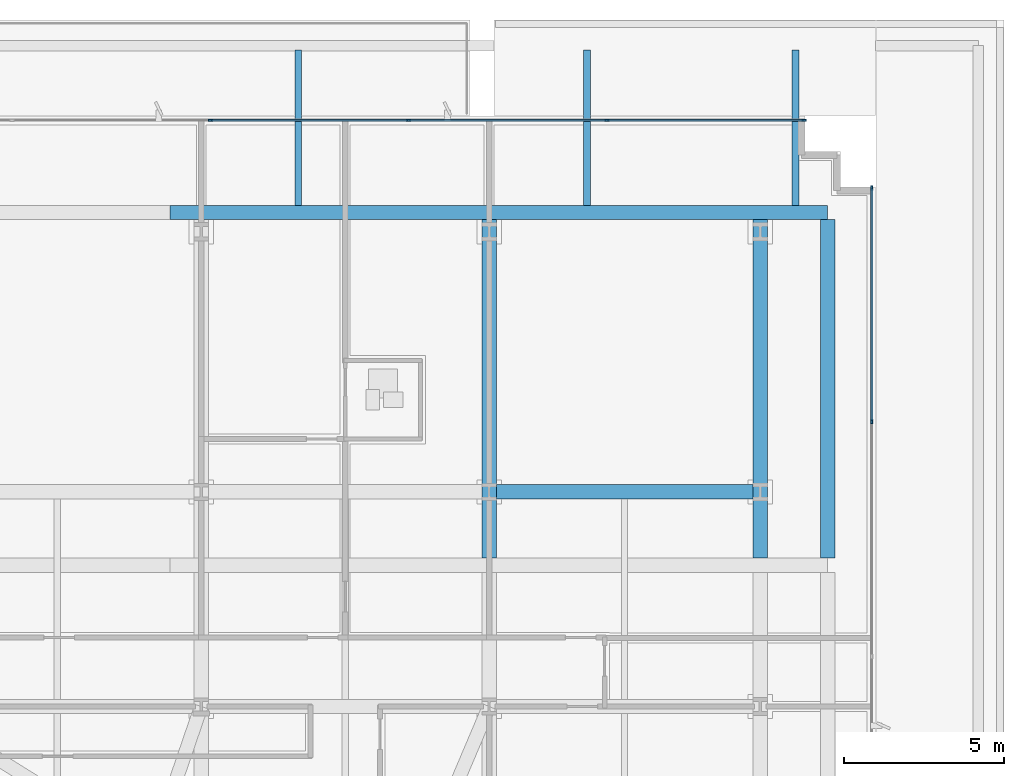
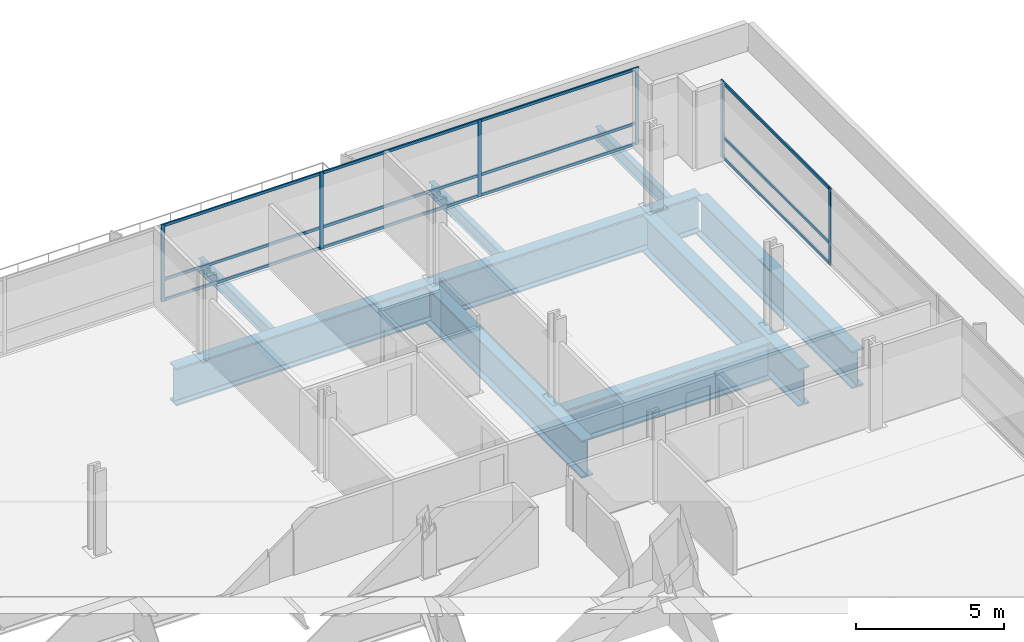
# One storey, part 15 of 25: 18 members, 9 beams, 2 elements without a shape of their own.
"""IFC4 building model written with IfcOpenShell, lengths in metres."""

from ifc_helpers import new_model, si_unit, direction, frame, origin, origin_2d, place, context, subcontext, project, spatial, rectangle, i_section, extrude, material, material_profile, profile_set, type_object, element, aggregate, save


model = new_model("IFC4")

# Units and contexts
model_context = context("Model", 3, precision=1e-05, world=origin(), true_north=direction((0.0, 1.0)))
body_context = subcontext(model_context, "Body", "Model", "MODEL_VIEW")
ifc_project = project(units=[si_unit("LENGTHUNIT", "METRE"), si_unit("AREAUNIT", "SQUARE_METRE"), si_unit("VOLUMEUNIT", "CUBIC_METRE"), si_unit("PLANEANGLEUNIT", "RADIAN"), si_unit("MASSUNIT", "GRAM", prefix="KILO")], contexts=[model_context])

# Site, building, storey
site_placement = place(None, origin())
site = spatial("IfcSite", under=ifc_project, at=site_placement, CompositionType="ELEMENT")
building_placement = place(site_placement, origin())
building = spatial("IfcBuilding", under=site, at=building_placement, Name="Solmavex Isthmus Hotel", CompositionType="ELEMENT")
storey_placement = place(building_placement, frame((0.0, 0.0, 26.39990234375)))
storey = spatial("IfcBuildingStorey", under=building, at=storey_placement, Name="L06", CompositionType="ELEMENT", Elevation=26.39990234375)

# Beams
ifc_material_1 = material(Name="Steel ASTM A992 Grade 50", Category="steel")
ifc_material_profile_1 = material_profile(ifc_material_1, i_section(OverallWidth=0.21240234375, OverallDepth=0.544189453125, WebThickness=0.01318359375, FlangeThickness=0.021240234375, FilletRadius=0.013916015625, at=origin_2d()), Name="W21X83")
ifc_profile_set_1 = profile_set([ifc_material_profile_1], Name="Steel ASTM A992 Grade 50")
beam_type_1 = type_object("IfcBeamType", Name="BM-BM-W21X83", PredefinedType="BEAM", material=ifc_profile_set_1)
for number, where, z_axis, x_axis, name in (
    (1, (12.0, 17.72509765625, -0.72216796875), (0.0, 1.0, 0.0), (-1.0, 0.0, 0.0), "Podium Roof Terrace Framing Beam PRN-05"),
    (2, (21.0, 17.72509765625, -0.72216796875), (0.0, 1.0, 0.0), (-1.0, 0.0, 0.0), "Podium Roof Terrace Framing Beam PRN-06"),
    (3, (27.5, 17.72509765625, -0.72216796875), (0.0, 1.0, 0.0), (-1.0, 0.0, 0.0), "Podium Roof Terrace Framing Beam PRN-07"),
):
    element("IfcBeam", number, at=place(storey_placement, frame(where, z_axis=z_axis, x_axis=x_axis)), inside=storey, type_object=beam_type_1, Name=name, PredefinedType="BEAM", context=body_context, shape_type="SweptSolid", body=[
        extrude(i_section(OverallWidth=0.21240234375, OverallDepth=0.544189453125, WebThickness=0.01318359375, FlangeThickness=0.021240234375, FilletRadius=0.013916015625, at=origin_2d()), origin(), (0.0, 0.0, 1.0), 4.8349609375),
    ])
ifc_material_2 = material(Name="Steel ASTM A572 Grade 50", Category="steel")
ifc_material_profile_2 = material_profile(ifc_material_2, i_section(OverallWidth=0.449951171875, OverallDepth=1.550048828125, WebThickness=0.031982421875, FlangeThickness=0.06494140625, FilletRadius=0.030517578125, at=origin_2d()), Name="I1550X450")
ifc_profile_set_2 = profile_set([ifc_material_profile_2], Name="Steel ASTM A572 Grade 50")
beam_type_2 = type_object("IfcBeamType", Name="BM-TB-G1550", PredefinedType="BEAM", material=ifc_profile_set_2)
beam_1_placement = place(storey_placement, frame((8.0, 17.5, -1.224853515625), z_axis=(1.0, 0.0, 0.0), x_axis=(0.0, 1.0, 0.0)))
element("IfcBeam", 4, at=beam_1_placement, inside=storey, type_object=beam_type_2, Name="Podium-to-Tower Mega Transfer Girder L06-MG13", PredefinedType="BEAM", context=body_context, shape_type="SweptSolid", body=[
    extrude(i_section(OverallWidth=0.449951171875, OverallDepth=1.550048828125, WebThickness=0.031982421875, FlangeThickness=0.06494140625, FilletRadius=0.030517578125, at=origin_2d()), origin(), (0.0, 0.0, 1.0), 10.0),
])
beam_2_placement = place(storey_placement, frame((18.0, 17.5, -1.224853515625), z_axis=(1.0, 0.0, 0.0), x_axis=(0.0, 1.0, 0.0)))
element("IfcBeam", 5, at=beam_2_placement, inside=storey, type_object=beam_type_2, Name="Podium-to-Tower Mega Transfer Girder L06-MG14", PredefinedType="BEAM", context=body_context, shape_type="SweptSolid", body=[
    extrude(i_section(OverallWidth=0.449951171875, OverallDepth=1.550048828125, WebThickness=0.031982421875, FlangeThickness=0.06494140625, FilletRadius=0.030517578125, at=origin_2d()), origin(), (0.0, 0.0, 1.0), 10.5),
])
for number, where, z_axis, x_axis, name in (
    (6, (28.5, 6.72509765625, -1.224853515625), (0.0, 1.0, 0.0), (-1.0, 0.0, 0.0), "Podium-to-Tower Mega Transfer Girder L06-MG24"),
    (7, (17.951904296875, 6.72509765625, -1.224853515625), (0.0, 1.0, 0.0), (-1.0, 0.0, 0.0), "Tower Column Root Transfer Girder L06-MNS6C"),
    (8, (26.39990234375, 6.72509765625, -1.224853515625), (0.0, 1.0, 0.0), (-1.0, 0.0, 0.0), "Tower Column Root Transfer Girder L06-MNS7C"),
):
    element("IfcBeam", number, at=place(storey_placement, frame(where, z_axis=z_axis, x_axis=x_axis)), inside=storey, type_object=beam_type_2, Name=name, PredefinedType="BEAM", context=body_context, shape_type="SweptSolid", body=[
        extrude(i_section(OverallWidth=0.449951171875, OverallDepth=1.550048828125, WebThickness=0.031982421875, FlangeThickness=0.06494140625, FilletRadius=0.030517578125, at=origin_2d()), origin(), (0.0, 0.0, 1.0), 10.5498046875),
    ])
beam_3_placement = place(storey_placement, frame((18.177001953125, 8.7880859375, -1.224853515625), z_axis=(1.0, 0.0, 0.0), x_axis=(0.0, 1.0, 0.0)))
element("IfcBeam", 9, at=beam_3_placement, inside=storey, type_object=beam_type_2, Name="Outrigger Collector Girder L06-UG18", PredefinedType="BEAM", context=body_context, shape_type="SweptSolid", body=[
    extrude(i_section(OverallWidth=0.449951171875, OverallDepth=1.550048828125, WebThickness=0.031982421875, FlangeThickness=0.06494140625, FilletRadius=0.030517578125, at=origin_2d()), origin(), (0.0, 0.0, 1.0), 7.998046875),
])

# Curtain wall, members
ifc_material_3 = material(Name="Aluminium alloy 6063-T6", Category="aluminium")
curtain_wall_type = type_object("IfcCurtainWallType", Name="CW-SYS-06", PredefinedType="NOTDEFINED", material=ifc_material_3)
curtain_wall_1_placement = place(storey_placement, origin())
curtain_wall_1 = element("IfcCurtainWall", 10, at=curtain_wall_1_placement, inside=storey, type_object=curtain_wall_type, Name="Stick Curtain Wall CWL-L06-N2", PredefinedType="NOTDEFINED")
ifc_material_profile_3 = material_profile(ifc_material_3, rectangle(XDim=0.06005859375, YDim=0.139892578125, at=origin_2d()), Name="CWM-60X140")
ifc_profile_set_3 = profile_set([ifc_material_profile_3], Name="Aluminium alloy 6063-T6")
member_type_1 = type_object("IfcMemberType", Name="CW-SYS-06-MUL", PredefinedType="MULLION", material=ifc_profile_set_3)
member_1_placement = place(storey_placement, frame((9.260009765625, 20.3798828125, 0.0), z_axis=(0.0, 0.0, 1.0), x_axis=(0.0, 1.0, 0.0)))
member_1 = element("IfcMember", 11, at=member_1_placement, type_object=member_type_1, Name="CW-06 mullion 3", PredefinedType="MULLION", context=body_context, shape_type="SweptSolid", body=[
    extrude(rectangle(XDim=0.06005859375, YDim=0.139892578125, at=origin_2d()), origin(), (0.0, 0.0, 1.0), 3.190185546875),
])
member_2_placement = place(storey_placement, frame((15.43994140625, 20.3798828125, 0.0), z_axis=(0.0, 0.0, 1.0), x_axis=(0.0, 1.0, 0.0)))
member_2 = element("IfcMember", 12, at=member_2_placement, type_object=member_type_1, Name="CW-06 mullion 4", PredefinedType="MULLION", context=body_context, shape_type="SweptSolid", body=[
    extrude(rectangle(XDim=0.06005859375, YDim=0.139892578125, at=origin_2d()), origin(), (0.0, 0.0, 1.0), 3.190185546875),
])
member_3_placement = place(storey_placement, frame((21.6201171875, 20.3798828125, 0.0), z_axis=(0.0, 0.0, 1.0), x_axis=(0.0, 1.0, 0.0)))
member_3 = element("IfcMember", 13, at=member_3_placement, type_object=member_type_1, Name="CW-06 mullion 5", PredefinedType="MULLION", context=body_context, shape_type="SweptSolid", body=[
    extrude(rectangle(XDim=0.06005859375, YDim=0.139892578125, at=origin_2d()), origin(), (0.0, 0.0, 1.0), 3.190185546875),
])
member_4_placement = place(storey_placement, frame((27.77001953125, 20.3798828125, 0.0), z_axis=(0.0, 0.0, 1.0), x_axis=(0.0, 1.0, 0.0)))
member_4 = element("IfcMember", 14, at=member_4_placement, type_object=member_type_1, Name="CW-06 mullion 6", PredefinedType="MULLION", context=body_context, shape_type="SweptSolid", body=[
    extrude(rectangle(XDim=0.06005859375, YDim=0.139892578125, at=origin_2d()), origin(), (0.0, 0.0, 1.0), 3.190185546875),
])

curtain_wall_2_placement = place(storey_placement, origin())
curtain_wall_2 = element("IfcCurtainWall", 15, at=curtain_wall_2_placement, inside=storey, type_object=curtain_wall_type, Name="Stick Curtain Wall CWL-L06-E1", PredefinedType="NOTDEFINED")
member_5_placement = place(storey_placement, frame((29.8798828125, 10.97998046875, 0.0), z_axis=(0.0, 0.0, 1.0), x_axis=(-1.0, 0.0, 0.0)))
member_5 = element("IfcMember", 16, at=member_5_placement, type_object=member_type_1, Name="CW-06 mullion 5", PredefinedType="MULLION", context=body_context, shape_type="SweptSolid", body=[
    extrude(rectangle(XDim=0.06005859375, YDim=0.139892578125, at=origin_2d()), origin(), (0.0, 0.0, 1.0), 3.190185546875),
])
member_6_placement = place(storey_placement, frame((29.8798828125, 18.27001953125, 0.0), z_axis=(0.0, 0.0, 1.0), x_axis=(-1.0, 0.0, 0.0)))
member_6 = element("IfcMember", 17, at=member_6_placement, type_object=member_type_1, Name="CW-06 mullion 6", PredefinedType="MULLION", context=body_context, shape_type="SweptSolid", body=[
    extrude(rectangle(XDim=0.06005859375, YDim=0.139892578125, at=origin_2d()), origin(), (0.0, 0.0, 1.0), 3.190185546875),
])

# Member
ifc_material_profile_4 = material_profile(ifc_material_3, rectangle(XDim=0.06005859375, YDim=0.114990234375, at=origin_2d()), Name="CWT-60X115")
ifc_profile_set_4 = profile_set([ifc_material_profile_4], Name="Aluminium alloy 6063-T6")
member_type_2 = type_object("IfcMemberType", Name="CW-SYS-06-TRN", PredefinedType="USERDEFINED", material=ifc_profile_set_4)
member_7_placement = place(storey_placement, frame((9.2900390625, 20.3798828125, 0.0576171875), z_axis=(1.0, 0.0, 0.0), x_axis=(0.0, 1.0, 0.0)))
member_7 = element("IfcMember", 18, at=member_7_placement, type_object=member_type_2, Name="CW-06 transom 3.1", ObjectType="TRANSOM", PredefinedType="USERDEFINED", context=body_context, shape_type="SweptSolid", body=[
    extrude(rectangle(XDim=0.06005859375, YDim=0.114990234375, at=origin_2d()), origin(), (0.0, 0.0, 1.0), 6.119873046875),
])

member_8_placement = place(storey_placement, frame((9.2900390625, 20.3798828125, 0.900146484375), z_axis=(1.0, 0.0, 0.0), x_axis=(0.0, 1.0, 0.0)))
member_8 = element("IfcMember", 19, at=member_8_placement, type_object=member_type_2, Name="CW-06 transom 3.2", ObjectType="TRANSOM", PredefinedType="USERDEFINED", context=body_context, shape_type="SweptSolid", body=[
    extrude(rectangle(XDim=0.06005859375, YDim=0.114990234375, at=origin_2d()), origin(), (0.0, 0.0, 1.0), 6.119873046875),
])

member_9_placement = place(storey_placement, frame((9.2900390625, 20.3798828125, 3.132568359375), z_axis=(1.0, 0.0, 0.0), x_axis=(0.0, 1.0, 0.0)))
member_9 = element("IfcMember", 20, at=member_9_placement, type_object=member_type_2, Name="CW-06 transom 3.3", ObjectType="TRANSOM", PredefinedType="USERDEFINED", context=body_context, shape_type="SweptSolid", body=[
    extrude(rectangle(XDim=0.06005859375, YDim=0.114990234375, at=origin_2d()), origin(), (0.0, 0.0, 1.0), 6.119873046875),
])

member_10_placement = place(storey_placement, frame((15.469970703125, 20.3798828125, 0.0576171875), z_axis=(1.0, 0.0, 0.0), x_axis=(0.0, 1.0, 0.0)))
member_10 = element("IfcMember", 21, at=member_10_placement, type_object=member_type_2, Name="CW-06 transom 4.1", ObjectType="TRANSOM", PredefinedType="USERDEFINED", context=body_context, shape_type="SweptSolid", body=[
    extrude(rectangle(XDim=0.06005859375, YDim=0.114990234375, at=origin_2d()), origin(), (0.0, 0.0, 1.0), 6.1201171875),
])

member_11_placement = place(storey_placement, frame((15.469970703125, 20.3798828125, 0.900146484375), z_axis=(1.0, 0.0, 0.0), x_axis=(0.0, 1.0, 0.0)))
member_11 = element("IfcMember", 22, at=member_11_placement, type_object=member_type_2, Name="CW-06 transom 4.2", ObjectType="TRANSOM", PredefinedType="USERDEFINED", context=body_context, shape_type="SweptSolid", body=[
    extrude(rectangle(XDim=0.06005859375, YDim=0.114990234375, at=origin_2d()), origin(), (0.0, 0.0, 1.0), 6.1201171875),
])

member_12_placement = place(storey_placement, frame((15.469970703125, 20.3798828125, 3.132568359375), z_axis=(1.0, 0.0, 0.0), x_axis=(0.0, 1.0, 0.0)))
member_12 = element("IfcMember", 23, at=member_12_placement, type_object=member_type_2, Name="CW-06 transom 4.3", ObjectType="TRANSOM", PredefinedType="USERDEFINED", context=body_context, shape_type="SweptSolid", body=[
    extrude(rectangle(XDim=0.06005859375, YDim=0.114990234375, at=origin_2d()), origin(), (0.0, 0.0, 1.0), 6.1201171875),
])

member_13_placement = place(storey_placement, frame((21.64990234375, 20.3798828125, 0.0576171875), z_axis=(1.0, 0.0, 0.0), x_axis=(0.0, 1.0, 0.0)))
member_13 = element("IfcMember", 24, at=member_13_placement, type_object=member_type_2, Name="CW-06 transom 5.1", ObjectType="TRANSOM", PredefinedType="USERDEFINED", context=body_context, shape_type="SweptSolid", body=[
    extrude(rectangle(XDim=0.06005859375, YDim=0.114990234375, at=origin_2d()), origin(), (0.0, 0.0, 1.0), 6.090087890625),
])

member_14_placement = place(storey_placement, frame((21.64990234375, 20.3798828125, 0.900146484375), z_axis=(1.0, 0.0, 0.0), x_axis=(0.0, 1.0, 0.0)))
member_14 = element("IfcMember", 25, at=member_14_placement, type_object=member_type_2, Name="CW-06 transom 5.2", ObjectType="TRANSOM", PredefinedType="USERDEFINED", context=body_context, shape_type="SweptSolid", body=[
    extrude(rectangle(XDim=0.06005859375, YDim=0.114990234375, at=origin_2d()), origin(), (0.0, 0.0, 1.0), 6.090087890625),
])

member_15_placement = place(storey_placement, frame((21.64990234375, 20.3798828125, 3.132568359375), z_axis=(1.0, 0.0, 0.0), x_axis=(0.0, 1.0, 0.0)))
member_15 = element("IfcMember", 26, at=member_15_placement, type_object=member_type_2, Name="CW-06 transom 5.3", ObjectType="TRANSOM", PredefinedType="USERDEFINED", context=body_context, shape_type="SweptSolid", body=[
    extrude(rectangle(XDim=0.06005859375, YDim=0.114990234375, at=origin_2d()), origin(), (0.0, 0.0, 1.0), 6.090087890625),
])

aggregate(curtain_wall_1, [member_1, member_2, member_3, member_4, member_7, member_8, member_9, member_10, member_11, member_12, member_13, member_14, member_15])

member_16_placement = place(storey_placement, frame((29.8798828125, 11.010009765625, 0.0576171875), z_axis=(0.0, 1.0, 0.0), x_axis=(-1.0, 0.0, 0.0)))
member_16 = element("IfcMember", 27, at=member_16_placement, type_object=member_type_2, Name="CW-06 transom 5.1", ObjectType="TRANSOM", PredefinedType="USERDEFINED", context=body_context, shape_type="SweptSolid", body=[
    extrude(rectangle(XDim=0.06005859375, YDim=0.114990234375, at=origin_2d()), origin(), (0.0, 0.0, 1.0), 7.22998046875),
])

member_17_placement = place(storey_placement, frame((29.8798828125, 11.010009765625, 0.900146484375), z_axis=(0.0, 1.0, 0.0), x_axis=(-1.0, 0.0, 0.0)))
member_17 = element("IfcMember", 28, at=member_17_placement, type_object=member_type_2, Name="CW-06 transom 5.2", ObjectType="TRANSOM", PredefinedType="USERDEFINED", context=body_context, shape_type="SweptSolid", body=[
    extrude(rectangle(XDim=0.06005859375, YDim=0.114990234375, at=origin_2d()), origin(), (0.0, 0.0, 1.0), 7.22998046875),
])

member_18_placement = place(storey_placement, frame((29.8798828125, 11.010009765625, 3.132568359375), z_axis=(0.0, 1.0, 0.0), x_axis=(-1.0, 0.0, 0.0)))
member_18 = element("IfcMember", 29, at=member_18_placement, type_object=member_type_2, Name="CW-06 transom 5.3", ObjectType="TRANSOM", PredefinedType="USERDEFINED", context=body_context, shape_type="SweptSolid", body=[
    extrude(rectangle(XDim=0.06005859375, YDim=0.114990234375, at=origin_2d()), origin(), (0.0, 0.0, 1.0), 7.22998046875),
])

aggregate(curtain_wall_2, [member_5, member_6, member_16, member_17, member_18])

save(model, "model.ifc")
